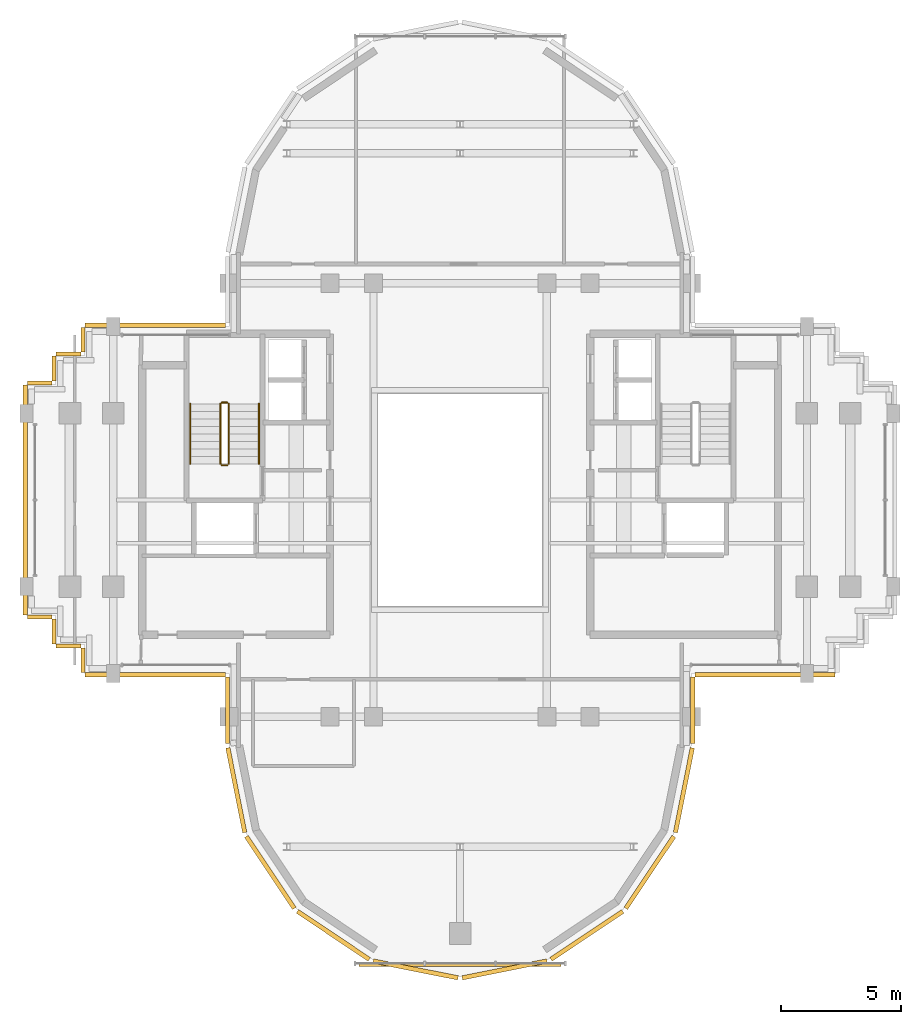
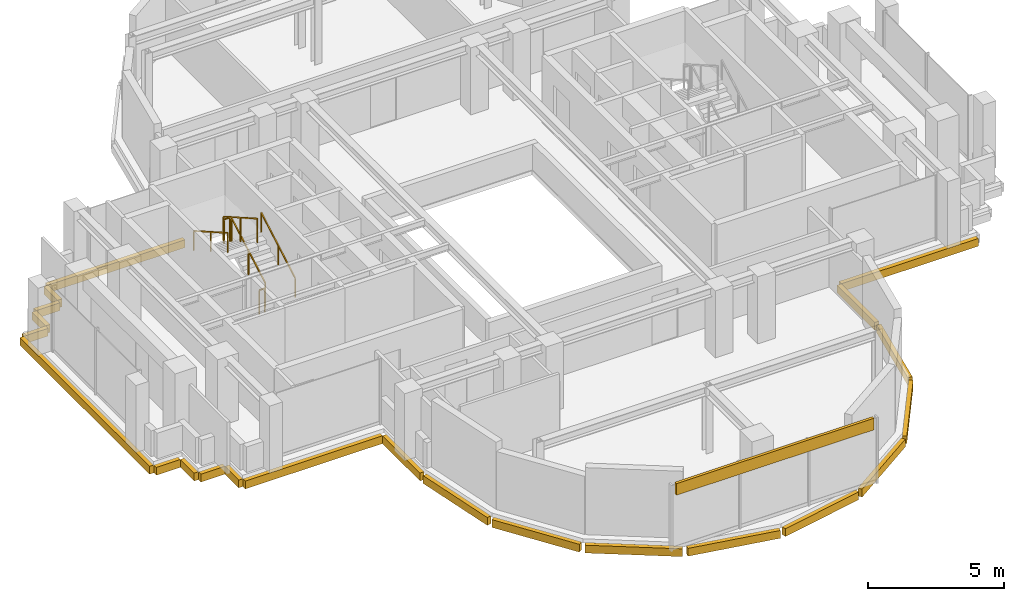
# One storey, part 11 of 12: 23 coverings, 6 railings.
"""IFC4 building model written with IfcOpenShell, lengths in metres."""

import ifcopenshell
import ifcopenshell.guid

model = None  # the IFC model being written
_history = None  # IfcOwnerHistory: only IFC2X3 demands one
_inside = {}  # id of a spatial element -> (the spatial element, [elements in it])
_under = {}  # id of a project, library or spatial element -> (it, [spatial elements below it])
_declared = {}  # id of a project -> (the project, [libraries it declares])
_typed = {}  # id of a type object -> (the type object, [elements of that type])
_made_of = {}  # id of a material, layer set ... -> (it, [elements and type objects made of it])


def new_model(schema):
    """Start an empty IFC model of exactly this schema.

    Asked for "IFC4X3", IfcOpenShell would pick the latest addendum, in which some entities
    have other attributes; the version numbers below select the first issue.
    IFC2X3 requires an IfcOwnerHistory on every rooted entity: one is made here for all.
    """
    global model, _history
    if schema == "IFC4X3":
        model = ifcopenshell.file(schema_version=(4, 3, 0, 0))
    else:
        model = ifcopenshell.file(schema=schema)
    _inside.clear()
    _under.clear()
    _declared.clear()
    _typed.clear()
    _made_of.clear()
    _history = None
    if model.schema == "IFC2X3":
        org = make("IfcOrganization", Name="unknown")
        user = make(
            "IfcPersonAndOrganization",
            ThePerson=make("IfcPerson", FamilyName="unknown"),
            TheOrganization=org,
        )
        app = make(
            "IfcApplication",
            ApplicationDeveloper=org,
            Version="unknown",
            ApplicationFullName="unknown",
            ApplicationIdentifier="unknown",
        )
        _history = make(
            "IfcOwnerHistory",
            OwningUser=user,
            OwningApplication=app,
            ChangeAction="ADDED",
            CreationDate=0,
        )
    return model


def make(cls, **values):
    """One entity of the class cls with the attributes given. An attribute that is None is left unset."""
    return model.create_entity(
        cls, **{name: value for name, value in values.items() if value is not None}
    )


def rooted(cls, **values):
    """An entity with a GlobalId (a new one), such as an element, a storey or a relation."""
    return make(cls, GlobalId=ifcopenshell.guid.new(), OwnerHistory=_history, **values)


def si_unit(unit_type, name, prefix=None):
    """IfcSIUnit, for example si_unit("LENGTHUNIT", "METRE", prefix="MILLI")."""
    return make("IfcSIUnit", UnitType=unit_type, Prefix=prefix, Name=name)


def assignment(units):
    """IfcUnitAssignment: the units of a project."""
    return None if units is None else make("IfcUnitAssignment", Units=units)


def point(xyz):
    """IfcCartesianPoint."""
    return None if xyz is None else make("IfcCartesianPoint", Coordinates=xyz)


def direction(xyz):
    """IfcDirection."""
    return None if xyz is None else make("IfcDirection", DirectionRatios=xyz)


def frame(location, z_axis=None, x_axis=None):
    """IfcAxis2Placement3D, a coordinate frame: its origin and axes. An axis left out is left unset."""
    return make(
        "IfcAxis2Placement3D",
        Location=point(location),
        Axis=direction(z_axis),
        RefDirection=direction(x_axis),
    )


def frame_2d(location, x_axis=None):
    """IfcAxis2Placement2D, a coordinate frame in the plane: its origin and x axis."""
    return make(
        "IfcAxis2Placement2D", Location=point(location), RefDirection=direction(x_axis)
    )


def origin():
    """The frame at (0, 0, 0) with its axes left unset."""
    return frame((0.0, 0.0, 0.0))


def origin_2d():
    """The frame at (0, 0) in the plane with its x axis left unset."""
    return frame_2d((0.0, 0.0))


def place(relative_to, where):
    """IfcLocalPlacement: puts the frame where relative to a parent placement (None: the world)."""
    return make(
        "IfcLocalPlacement", PlacementRelTo=relative_to, RelativePlacement=where
    )


def context(
    kind, dimensions, precision=None, world=None, true_north=None, identifier=None
):
    """IfcGeometricRepresentationContext, for example the 3D "Model" context."""
    return make(
        "IfcGeometricRepresentationContext",
        ContextIdentifier=identifier,
        ContextType=kind,
        CoordinateSpaceDimension=dimensions,
        Precision=precision,
        WorldCoordinateSystem=world,
        TrueNorth=true_north,
    )


def subcontext(parent, identifier, kind, view, scale=None):
    """IfcGeometricRepresentationSubContext, for example "Body" below "Model"."""
    return make(
        "IfcGeometricRepresentationSubContext",
        ContextIdentifier=identifier,
        ContextType=kind,
        ParentContext=parent,
        TargetScale=scale,
        TargetView=view,
    )


def project(units=None, contexts=None):
    """IfcProject with its units and contexts."""
    return rooted(
        "IfcProject",
        Name="project",
        RepresentationContexts=contexts,
        UnitsInContext=assignment(units),
    )


def spatial(cls, under=None, at=None, **own):
    """A site, building, storey or space (cls), placed at a placement, below another one or the project."""
    s = rooted(cls, ObjectPlacement=at, **own)
    if under is not None:
        _under.setdefault(under.id(), (under, []))[1].append(s)
    return s


def profile(cls, at=None, kind="AREA", **sizes):
    """A parametric profile (cls). Its sizes go by their IFC names, for example OverallWidth=200.0."""
    return make(cls, ProfileType=kind, Position=at, **sizes)


def rectangle(**sizes):
    """IfcRectangleProfileDef."""
    return profile("IfcRectangleProfileDef", **sizes)


def extrude(swept, where, along, depth):
    """IfcExtrudedAreaSolid: the profile swept, set in the frame where, extruded along a direction by depth."""
    return make(
        "IfcExtrudedAreaSolid",
        SweptArea=swept,
        Position=where,
        ExtrudedDirection=direction(along),
        Depth=depth,
    )


def shape(context_of_items, identifier, shape_type, items):
    """IfcShapeRepresentation: the items that make up one representation, for example the "Body"."""
    return make(
        "IfcShapeRepresentation",
        ContextOfItems=context_of_items,
        RepresentationIdentifier=identifier,
        RepresentationType=shape_type,
        Items=items,
    )


def source(mapping_origin, context_of_items, identifier, shape_type, items):
    """IfcRepresentationMap: a shape defined once, which mapped items show again and again."""
    return make(
        "IfcRepresentationMap",
        MappingOrigin=mapping_origin,
        MappedRepresentation=shape(context_of_items, identifier, shape_type, items),
    )


def transform(
    local_origin,
    x_axis=None,
    y_axis=None,
    z_axis=None,
    scale=None,
    scale2=None,
    scale3=None,
    uniform=True,
):
    """IfcCartesianTransformationOperator3D, or its non-uniform kind. x_axis, y_axis, z_axis: its Axis1, 2, 3."""
    if uniform:
        return make(
            "IfcCartesianTransformationOperator3D",
            Axis1=direction(x_axis),
            Axis2=direction(y_axis),
            LocalOrigin=point(local_origin),
            Scale=scale,
            Axis3=direction(z_axis),
        )
    return make(
        "IfcCartesianTransformationOperator3DnonUniform",
        Axis1=direction(x_axis),
        Axis2=direction(y_axis),
        LocalOrigin=point(local_origin),
        Scale=scale,
        Axis3=direction(z_axis),
        Scale2=scale2,
        Scale3=scale3,
    )


def mapped(mapping_source, mapping_target):
    """IfcMappedItem: shows the shape of a source again, moved by a transform."""
    return make(
        "IfcMappedItem", MappingSource=mapping_source, MappingTarget=mapping_target
    )


def material(Name=None, Category=None):
    """IfcMaterial."""
    return make("IfcMaterial", Name=Name, Category=Category)


def layer(
    of_material, thickness, ventilated=None, Name=None, Category=None, Priority=None
):
    """IfcMaterialLayer: one layer of a wall or slab, of a material (None: an air gap)."""
    return make(
        "IfcMaterialLayer",
        Material=of_material,
        LayerThickness=thickness,
        IsVentilated=ventilated,
        Name=Name,
        Category=Category,
        Priority=Priority,
    )


def layer_set(layers, Name=None):
    """IfcMaterialLayerSet."""
    return make("IfcMaterialLayerSet", MaterialLayers=layers, LayerSetName=Name)


def made_of(thing, what):
    """Note that an element or type object is made of a material, layer set ...; save() writes the relation."""
    if what is not None:
        _made_of.setdefault(what.id(), (what, []))[1].append(thing)
    return thing


def type_object(cls, material=None, **own):
    """A type object (cls), such as IfcWallType, which elements share."""
    return made_of(rooted(cls, **own), material)


def element(
    cls,
    number,
    at=None,
    inside=None,
    cuts=None,
    type_object=None,
    material=None,
    context=None,
    identifier="Body",
    shape_type=None,
    held_by="IfcProductDefinitionShape",
    body=None,
    shapes=None,
    **own,
):
    """One element of the class cls, such as IfcWall. Its Tag is "e" and its number.

    at: its placement. inside: the storey or other place that contains it. cuts: it is an
    opening in that element (IfcRelVoidsElement). A single representation is given by context,
    identifier, shape_type and body (its items); several are given by shapes. held_by: the class
    of the entity that holds the representations. save() writes the other relations.
    """
    e = rooted(cls, Tag="e%d" % number, ObjectPlacement=at, **own)
    if body is not None:
        shapes = [shape(context, identifier, shape_type, body)]
    if shapes is not None:
        e.Representation = make(held_by, Representations=shapes)
    if inside is not None:
        _inside.setdefault(inside.id(), (inside, []))[1].append(e)
    if cuts is not None:
        rooted(
            "IfcRelVoidsElement", RelatingBuildingElement=cuts, RelatedOpeningElement=e
        )
    if type_object is not None:
        _typed.setdefault(type_object.id(), (type_object, []))[1].append(e)
    return made_of(e, material)


def aggregate(whole, parts):
    """IfcRelAggregates: a whole, such as a stair, and the parts it consists of."""
    return rooted("IfcRelAggregates", RelatingObject=whole, RelatedObjects=parts)


def save(model, path):
    """Write the relations noted so far, then the file.

    IfcRelAggregates (storeys below a building ...), IfcRelContainedInSpatialStructure (elements
    in a storey), IfcRelDefinesByType, IfcRelAssociatesMaterial and IfcRelDeclares: one each for
    every whole, place, type object, material and project.
    """
    for whole, parts in _under.values():
        aggregate(whole, parts)
    for where, things in _inside.values():
        rooted(
            "IfcRelContainedInSpatialStructure",
            RelatedElements=things,
            RelatingStructure=where,
        )
    for kind, things in _typed.values():
        rooted("IfcRelDefinesByType", RelatedObjects=things, RelatingType=kind)
    for what, things in _made_of.values():
        rooted("IfcRelAssociatesMaterial", RelatedObjects=things, RelatingMaterial=what)
    for by, libraries in _declared.values():
        rooted("IfcRelDeclares", RelatingContext=by, RelatedDefinitions=libraries)
    model.write(path)


model = new_model("IFC4")

# Units and contexts
model_context = context("Model", 3, precision=1e-05, world=origin(), true_north=direction((0.0, 1.0)))
body_context = subcontext(model_context, "Body", "Model", "MODEL_VIEW")
ifc_project = project(units=[si_unit("LENGTHUNIT", "METRE"), si_unit("AREAUNIT", "SQUARE_METRE"), si_unit("VOLUMEUNIT", "CUBIC_METRE"), si_unit("PLANEANGLEUNIT", "RADIAN"), si_unit("MASSUNIT", "GRAM", prefix="KILO")], contexts=[model_context])

# Site, building, storey
site_placement = place(None, origin())
site = spatial("IfcSite", under=ifc_project, at=site_placement, CompositionType="ELEMENT")
building_placement = place(site_placement, origin())
building = spatial("IfcBuilding", under=site, at=building_placement, Name="Keilestroom Media Tower", CompositionType="ELEMENT")
storey_placement = place(building_placement, frame((0.0, 0.0, 249.199951171875)))
storey = spatial("IfcBuildingStorey", under=building, at=storey_placement, Name="L69", CompositionType="ELEMENT", Elevation=249.199951171875)

# Railings
ifc_material_1 = material(Name="Brushed Stainless Steel 1.4301", Category="steel")
railing_type_1 = type_object("IfcRailingType", Name="Stair-Pitch-Handrail-920", PredefinedType="HANDRAIL", material=ifc_material_1)
railing_1_placement = place(storey_placement, frame((-8.35009765625, 1.5, 0.177734375)))
element("IfcRailing", 1, at=railing_1_placement, inside=storey, type_object=railing_type_1, Name="L69 ST-1 stair handrail 1", PredefinedType="HANDRAIL", context=body_context, shape_type="SweptSolid", body=[
    extrude(rectangle(XDim=0.048095703125, YDim=0.048095703125, at=origin_2d()), frame((0.0, 0.0, 0.8759765625), z_axis=(0.0, 0.868838684858, 0.495095283449), x_axis=(-1.0, 0.0, 0.0)), (0.0, 0.0, 1.0), 2.872802734375),
    extrude(rectangle(XDim=0.0419921875, YDim=0.0419921875, at=origin_2d()), origin(), (0.0, 0.0, 1.0), 0.84375),
    extrude(rectangle(XDim=0.0419921875, YDim=0.0419921875, at=origin_2d()), frame((0.0, 1.248046875, 0.711181640625)), (0.0, 0.0, 1.0), 0.84375),
    extrude(rectangle(XDim=0.0419921875, YDim=0.0419921875, at=origin_2d()), frame((0.0, 2.49609375, 1.42236328125)), (0.0, 0.0, 1.0), 0.84375),
])
railing_2_placement = place(storey_placement, frame((-11.2099609375, 3.99609375, 1.77783203125)))
element("IfcRailing", 2, at=railing_2_placement, inside=storey, type_object=railing_type_1, Name="L69 ST-1 stair handrail 2", PredefinedType="HANDRAIL", context=body_context, shape_type="SweptSolid", body=[
    extrude(rectangle(XDim=0.048095703125, YDim=0.048095703125, at=origin_2d()), frame((0.0, 0.0, 0.8759765625), z_axis=(0.0, -0.868875238982, 0.495031129408), x_axis=(1.0, 0.0, 0.0)), (0.0, 0.0, 1.0), 2.872802734375),
    extrude(rectangle(XDim=0.0419921875, YDim=0.0419921875, at=origin_2d()), origin(), (0.0, 0.0, 1.0), 0.84375),
    extrude(rectangle(XDim=0.0419921875, YDim=0.0419921875, at=origin_2d()), frame((0.0, -1.248046875, 0.7109375)), (0.0, 0.0, 1.0), 0.84375),
    extrude(rectangle(XDim=0.0419921875, YDim=0.0419921875, at=origin_2d()), frame((0.0, -2.49609375, 1.422119140625)), (0.0, 0.0, 1.0), 0.84375),
])
ifc_material_2 = material(Name="Painted Steel Balustrade", Category="steel")
railing_type_2 = type_object("IfcRailingType", Name="Stair-Well-And-Landing-Guard-1100", PredefinedType="GUARDRAIL", material=ifc_material_2)
railing_3_placement = place(storey_placement, frame((-9.610107421875, 1.5, 0.177734375)))
element("IfcRailing", 3, at=railing_3_placement, inside=storey, type_object=railing_type_2, Name="L69 ST-1 stair guard 1", PredefinedType="GUARDRAIL", context=body_context, shape_type="SweptSolid", body=[
    extrude(rectangle(XDim=0.048095703125, YDim=0.048095703125, at=origin_2d()), frame((0.0, 0.0, 1.076171875), z_axis=(0.0, 0.868838684858, 0.495095283449), x_axis=(-1.0, 0.0, 0.0)), (0.0, 0.0, 1.0), 2.872802734375),
    extrude(rectangle(XDim=0.0419921875, YDim=0.0419921875, at=origin_2d()), origin(), (0.0, 0.0, 1.0), 1.0439453125),
    extrude(rectangle(XDim=0.0419921875, YDim=0.0419921875, at=origin_2d()), frame((0.0, 1.248046875, 0.711181640625)), (0.0, 0.0, 1.0), 1.0439453125),
    extrude(rectangle(XDim=0.0419921875, YDim=0.0419921875, at=origin_2d()), frame((0.0, 2.49609375, 1.42236328125)), (0.0, 0.0, 1.0), 1.0439453125),
])
railing_4_placement = place(storey_placement, frame((-9.659912109375, 4.0458984375, 1.60009765625)))
element("IfcRailing", 4, at=railing_4_placement, inside=storey, type_object=railing_type_2, Name="L69 ST-1 stair guard 2", PredefinedType="GUARDRAIL", context=body_context, shape_type="SweptSolid", body=[
    extrude(rectangle(XDim=0.048095703125, YDim=0.048095703125, at=origin_2d()), frame((0.0, 0.0, 1.076171875), z_axis=(-1.0, 0.0, 0.0), x_axis=(0.0, -1.0, 0.0)), (0.0, 0.0, 1.0), 0.239990234375),
    extrude(rectangle(XDim=0.0419921875, YDim=0.0419921875, at=origin_2d()), origin(), (0.0, 0.0, 1.0), 1.0439453125),
    extrude(rectangle(XDim=0.0419921875, YDim=0.0419921875, at=origin_2d()), frame((-0.239990234375, 0.0, 0.0)), (0.0, 0.0, 1.0), 1.0439453125),
])
railing_5_placement = place(storey_placement, frame((-9.949951171875, 3.99609375, 1.77783203125)))
element("IfcRailing", 5, at=railing_5_placement, inside=storey, type_object=railing_type_2, Name="L69 ST-1 stair guard 3", PredefinedType="GUARDRAIL", context=body_context, shape_type="SweptSolid", body=[
    extrude(rectangle(XDim=0.048095703125, YDim=0.048095703125, at=origin_2d()), frame((0.0, 0.0, 1.076171875), z_axis=(0.0, -0.868875238982, 0.495031129408), x_axis=(1.0, 0.0, 0.0)), (0.0, 0.0, 1.0), 2.872802734375),
    extrude(rectangle(XDim=0.0419921875, YDim=0.0419921875, at=origin_2d()), origin(), (0.0, 0.0, 1.0), 1.0439453125),
    extrude(rectangle(XDim=0.0419921875, YDim=0.0419921875, at=origin_2d()), frame((0.0, -1.248046875, 0.7109375)), (0.0, 0.0, 1.0), 1.0439453125),
    extrude(rectangle(XDim=0.0419921875, YDim=0.0419921875, at=origin_2d()), frame((0.0, -2.49609375, 1.422119140625)), (0.0, 0.0, 1.0), 1.0439453125),
])
railing_6_placement = place(storey_placement, frame((-9.659912109375, 1.449951171875, 0.0)))
element("IfcRailing", 6, at=railing_6_placement, inside=storey, type_object=railing_type_2, Name="L69 ST-1 stair guard 4", PredefinedType="GUARDRAIL", context=body_context, shape_type="SweptSolid", body=[
    extrude(rectangle(XDim=0.048095703125, YDim=0.048095703125, at=origin_2d()), frame((0.0, 0.0, 1.076171875), z_axis=(-1.0, 0.0, 0.0), x_axis=(0.0, -1.0, 0.0)), (0.0, 0.0, 1.0), 0.239990234375),
    extrude(rectangle(XDim=0.0419921875, YDim=0.0419921875, at=origin_2d()), origin(), (0.0, 0.0, 1.0), 1.0439453125),
    extrude(rectangle(XDim=0.0419921875, YDim=0.0419921875, at=origin_2d()), frame((-0.239990234375, 0.0, 0.0)), (0.0, 0.0, 1.0), 1.0439453125),
])

# Coverings
ifc_material_3 = material(Name="Precast concrete C40/50", Category="concrete")
ifc_layer = layer(ifc_material_3, 0.1201171875)
ifc_layer_set = layer_set([ifc_layer], Name="Precast concrete C40/50")
covering_type = type_object("IfcCoveringType", Name="Exterior-Precast-Spandrel-Cladding-Panel-120", PredefinedType="CLADDING", material=ifc_layer_set)
shared_shape_1 = source(origin(), body_context, "Body", "SweptSolid", [
    extrude(rectangle(XDim=8.39990234375, YDim=0.1201171875, at=origin_2d()), origin(), (0.0, 0.0, 1.0), 0.52001953125),
])
covering_1_placement = place(storey_placement, frame((0.0, -19.320068359375, 2.5), z_axis=(0.0, 0.0, 1.0), x_axis=(1.0, 0.0, 0.0)))
element("IfcCovering", 7, at=covering_1_placement, inside=storey, type_object=covering_type, Name="L69 Precast Spandrel Cladding S", PredefinedType="CLADDING", context=body_context, shape_type="MappedRepresentation", body=[
    mapped(shared_shape_1, transform((0.0, 0.0, 0.0), x_axis=(1.0, 0.0, 0.0), y_axis=(0.0, 1.0, 0.0), z_axis=(0.0, 0.0, 1.0), scale=1.0)),
])
shared_shape_2 = source(origin(), body_context, "Body", "SweptSolid", [
    extrude(rectangle(XDim=1.02001953125, YDim=0.179931640625, at=origin_2d()), origin(), (0.0, 0.0, 1.0), 0.35009765625),
])
for number, where, z_axis, x_axis, name in (
    (8, (-15.659912109375, -6.659912109375, -0.530029296875), (0.0, 0.0, 1.0), (0.0, 1.0, 0.0), "L69 Precast Slab-Edge Fascia Cornice 17"),
    (9, (-16.260009765625, -6.06005859375, -0.530029296875), (0.0, 0.0, 1.0), (-1.0, 0.0, 0.0), "L69 Precast Slab-Edge Fascia Cornice 18"),
    (10, (-16.860107421875, -5.4599609375, -0.530029296875), (0.0, 0.0, 1.0), (0.0, 1.0, 0.0), "L69 Precast Slab-Edge Fascia Cornice 19"),
    (11, (-17.4599609375, -4.860107421875, -0.530029296875), (0.0, 0.0, 1.0), (-1.0, 0.0, 0.0), "L69 Precast Slab-Edge Fascia Cornice 20"),
    (12, (-17.4599609375, 4.860107421875, -0.530029296875), (0.0, 0.0, 1.0), (1.0, 0.0, 0.0), "L69 Precast Slab-Edge Fascia Cornice 22"),
    (13, (-16.860107421875, 5.4599609375, -0.530029296875), (0.0, 0.0, 1.0), (0.0, 1.0, 0.0), "L69 Precast Slab-Edge Fascia Cornice 23"),
    (14, (-16.260009765625, 6.06005859375, -0.530029296875), (0.0, 0.0, 1.0), (1.0, 0.0, 0.0), "L69 Precast Slab-Edge Fascia Cornice 24"),
    (15, (-15.659912109375, 6.659912109375, -0.530029296875), (0.0, 0.0, 1.0), (0.0, 1.0, 0.0), "L69 Precast Slab-Edge Fascia Cornice 25"),
):
    element("IfcCovering", number, at=place(storey_placement, frame(where, z_axis=z_axis, x_axis=x_axis)), inside=storey, type_object=covering_type, Name=name, PredefinedType="CLADDING", context=body_context, shape_type="MappedRepresentation", body=[
        mapped(shared_shape_2, transform((0.0, 0.0, 0.0), x_axis=(1.0, 0.0, 0.0), y_axis=(0.0, 1.0, 0.0), z_axis=(0.0, 0.0, 1.0), scale=1.0)),
    ])
shared_shape_3 = source(origin(), body_context, "Body", "SweptSolid", [
    extrude(rectangle(XDim=5.820068359375, YDim=0.179931640625, at=origin_2d()), origin(), (0.0, 0.0, 1.0), 0.35009765625),
])
for number, where, z_axis, x_axis, name in (
    (16, (12.659912109375, -7.260009765625, -0.530029296875), (0.0, 0.0, 1.0), (-1.0, 0.0, 0.0), "L69 Precast Slab-Edge Fascia Cornice 05"),
    (17, (-12.659912109375, -7.260009765625, -0.530029296875), (0.0, 0.0, 1.0), (-1.0, 0.0, 0.0), "L69 Precast Slab-Edge Fascia Cornice 16"),
    (18, (-12.659912109375, 7.260009765625, -0.530029296875), (0.0, 0.0, 1.0), (1.0, 0.0, 0.0), "L69 Precast Slab-Edge Fascia Cornice 26"),
):
    element("IfcCovering", number, at=place(storey_placement, frame(where, z_axis=z_axis, x_axis=x_axis)), inside=storey, type_object=covering_type, Name=name, PredefinedType="CLADDING", context=body_context, shape_type="MappedRepresentation", body=[
        mapped(shared_shape_3, transform((0.0, 0.0, 0.0), x_axis=(1.0, 0.0, 0.0), y_axis=(0.0, 1.0, 0.0), z_axis=(0.0, 0.0, 1.0), scale=1.0)),
    ])
shared_shape_4 = source(origin(), body_context, "Body", "SweptSolid", [
    extrude(rectangle(XDim=2.765869140625, YDim=0.179931640625, at=origin_2d()), origin(), (0.0, 0.0, 1.0), 0.35009765625),
])
for number, where, z_axis, x_axis, name in (
    (19, (9.659912109375, -8.73291015625, -0.530029296875), (0.0, 0.0, 1.0), (0.0, -1.0, 0.0), "L69 Precast Slab-Edge Fascia Cornice 06"),
    (20, (-9.659912109375, -8.73291015625, -0.530029296875), (0.0, 0.0, 1.0), (0.0, 1.0, 0.0), "L69 Precast Slab-Edge Fascia Cornice 15"),
):
    element("IfcCovering", number, at=place(storey_placement, frame(where, z_axis=z_axis, x_axis=x_axis)), inside=storey, type_object=covering_type, Name=name, PredefinedType="CLADDING", context=body_context, shape_type="MappedRepresentation", body=[
        mapped(shared_shape_4, transform((0.0, 0.0, 0.0), x_axis=(1.0, 0.0, 0.0), y_axis=(0.0, 1.0, 0.0), z_axis=(0.0, 0.0, 1.0), scale=1.0)),
    ])
shared_shape_5 = source(origin(), body_context, "Body", "SweptSolid", [
    extrude(rectangle(XDim=3.58349609375, YDim=0.179931640625, at=origin_2d()), origin(), (0.0, 0.0, 1.0), 0.35009765625),
])
for number, where, z_axis, x_axis, name in (
    (21, (9.29296875, -12.051513671875, -0.530029296875), (0.0, 0.0, 1.0), (-0.195098880975, -0.980783577882, 0.0), "L69 Precast Slab-Edge Fascia Cornice 07"),
    (22, (-9.29296875, -12.051513671875, -0.530029296875), (0.0, 0.0, 1.0), (-0.195098880975, 0.980783577882, 0.0), "L69 Precast Slab-Edge Fascia Cornice 14"),
):
    element("IfcCovering", number, at=place(storey_placement, frame(where, z_axis=z_axis, x_axis=x_axis)), inside=storey, type_object=covering_type, Name=name, PredefinedType="CLADDING", context=body_context, shape_type="MappedRepresentation", body=[
        mapped(shared_shape_5, transform((0.0, 0.0, 0.0), x_axis=(1.0, 0.0, 0.0), y_axis=(0.0, 1.0, 0.0), z_axis=(0.0, 0.0, 1.0), scale=1.0)),
    ])
shared_shape_6 = source(origin(), body_context, "Body", "SweptSolid", [
    extrude(rectangle(XDim=3.589599609375, YDim=0.179931640625, at=origin_2d()), origin(), (0.0, 0.0, 1.0), 0.35009765625),
])
for number, where, z_axis, x_axis, name in (
    (23, (7.878662109375, -15.46435546875, -0.530029296875), (0.0, 0.0, 1.0), (-0.555574586577, -0.831466703332, 0.0), "L69 Precast Slab-Edge Fascia Cornice 08"),
    (24, (5.264404296875, -18.07861328125, -0.530029296875), (0.0, 0.0, 1.0), (-0.831466703332, -0.555574586577, 0.0), "L69 Precast Slab-Edge Fascia Cornice 09"),
    (25, (1.8486328125, -19.493408203125, -0.530029296875), (0.0, 0.0, 1.0), (-0.980783577882, -0.195098880975, 0.0), "L69 Precast Slab-Edge Fascia Cornice 10"),
    (26, (-1.8486328125, -19.493408203125, -0.530029296875), (0.0, 0.0, 1.0), (-0.980783577882, 0.195098880975, 0.0), "L69 Precast Slab-Edge Fascia Cornice 11"),
    (27, (-5.264404296875, -18.07861328125, -0.530029296875), (0.0, 0.0, 1.0), (-0.831466703332, 0.555574586577, 0.0), "L69 Precast Slab-Edge Fascia Cornice 12"),
    (28, (-7.878662109375, -15.46435546875, -0.530029296875), (0.0, 0.0, 1.0), (-0.555574586577, 0.831466703332, 0.0), "L69 Precast Slab-Edge Fascia Cornice 13"),
):
    element("IfcCovering", number, at=place(storey_placement, frame(where, z_axis=z_axis, x_axis=x_axis)), inside=storey, type_object=covering_type, Name=name, PredefinedType="CLADDING", context=body_context, shape_type="MappedRepresentation", body=[
        mapped(shared_shape_6, transform((0.0, 0.0, 0.0), x_axis=(1.0, 0.0, 0.0), y_axis=(0.0, 1.0, 0.0), z_axis=(0.0, 0.0, 1.0), scale=1.0)),
    ])
shared_shape_7 = source(origin(), body_context, "Body", "SweptSolid", [
    extrude(rectangle(XDim=9.5400390625, YDim=0.179931640625, at=origin_2d()), origin(), (0.0, 0.0, 1.0), 0.35009765625),
])
covering_2_placement = place(storey_placement, frame((-18.06005859375, 0.0, -0.530029296875), z_axis=(0.0, 0.0, 1.0), x_axis=(0.0, 1.0, 0.0)))
element("IfcCovering", 29, at=covering_2_placement, inside=storey, type_object=covering_type, Name="L69 Precast Slab-Edge Fascia Cornice 21", PredefinedType="CLADDING", context=body_context, shape_type="MappedRepresentation", body=[
    mapped(shared_shape_7, transform((0.0, 0.0, 0.0), x_axis=(1.0, 0.0, 0.0), y_axis=(0.0, 1.0, 0.0), z_axis=(0.0, 0.0, 1.0), scale=1.0)),
])

save(model, "model.ifc")
